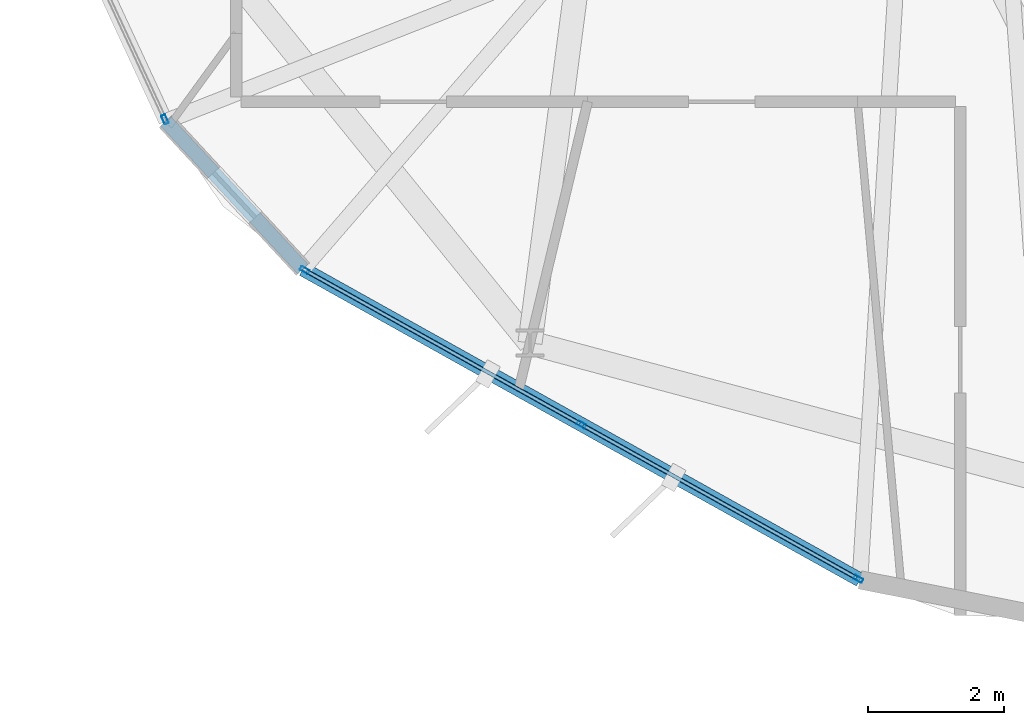
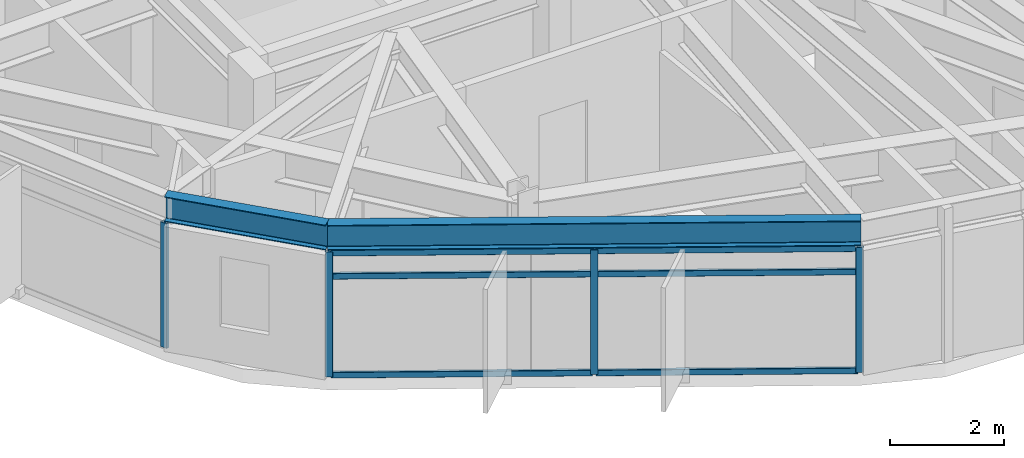
# One storey, part 2 of 25: 10 members, 2 beams, 2 elements without a shape of their own.
"""IFC4 building model written with IfcOpenShell, lengths in metres."""

from ifc_helpers import new_model, si_unit, direction, frame, origin, origin_2d, place, context, subcontext, project, spatial, hollow_rectangle, i_section, extrude, material, layer, layer_set, material_profile, profile_set, type_object, element, aggregate, save


model = new_model("IFC4")

# Units and contexts
model_context = context("Model", 3, precision=1e-05, world=origin(), true_north=direction((0.0, 1.0)))
body_context = subcontext(model_context, "Body", "Model", "MODEL_VIEW")
ifc_project = project(units=[si_unit("LENGTHUNIT", "METRE"), si_unit("AREAUNIT", "SQUARE_METRE"), si_unit("VOLUMEUNIT", "CUBIC_METRE"), si_unit("PLANEANGLEUNIT", "RADIAN"), si_unit("MASSUNIT", "GRAM", prefix="KILO")], contexts=[model_context])

# Site, building, storey
site_placement = place(None, origin())
site = spatial("IfcSite", under=ifc_project, at=site_placement, CompositionType="ELEMENT")
building_placement = place(site_placement, origin())
building = spatial("IfcBuilding", under=site, at=building_placement, Name="Soratama Intermodal Tower", CompositionType="ELEMENT")
storey_placement = place(building_placement, frame((0.0, 0.0, 190.60009765625)))
storey = spatial("IfcBuildingStorey", under=building, at=storey_placement, Name="L47", CompositionType="ELEMENT", Elevation=190.60009765625)

# Beams
ifc_material_1 = material(Name="Structural steel ASTM A992 Grade 50", Category="steel")
ifc_material_profile_1 = material_profile(ifc_material_1, i_section(OverallWidth=0.2099609375, OverallDepth=0.537109375, WebThickness=0.010986328125, FlangeThickness=0.017333984375, FilletRadius=0.012939453125, at=origin_2d()), Name="W21X68")
ifc_profile_set_1 = profile_set([ifc_material_profile_1], Name="Structural steel ASTM A992 Grade 50")
beam_type = type_object("IfcBeamType", Name="BM-SPN-W21X68", PredefinedType="SPANDREL", material=ifc_profile_set_1)
beam_1_placement = place(storey_placement, frame((29.512939453125, 12.660888671875, 3.031494140625), z_axis=(0.680021632423, -0.733192048127, 0.0), x_axis=(0.733192048127, 0.680021632423, 0.0)))
element("IfcBeam", 1, at=beam_1_placement, inside=storey, type_object=beam_type, Name="BS-L47-CRN05", PredefinedType="SPANDREL", context=body_context, shape_type="SweptSolid", body=[
    extrude(i_section(OverallWidth=0.2099609375, OverallDepth=0.537109375, WebThickness=0.010986328125, FlangeThickness=0.017333984375, FilletRadius=0.012939453125, at=origin_2d()), origin(), (0.0, 0.0, 1.0), 2.96630859375),
])
beam_2_placement = place(storey_placement, frame((31.530029296875, 10.486083984375, 3.031494140625), z_axis=(0.873275727261, -0.487226337729, 0.0), x_axis=(0.487226337729, 0.873275727261, 0.0)))
element("IfcBeam", 2, at=beam_2_placement, inside=storey, type_object=beam_type, Name="BS-L47-F06", PredefinedType="SPANDREL", context=body_context, shape_type="SweptSolid", body=[
    extrude(i_section(OverallWidth=0.2099609375, OverallDepth=0.537109375, WebThickness=0.010986328125, FlangeThickness=0.017333984375, FilletRadius=0.012939453125, at=origin_2d()), origin(), (0.0, 0.0, 1.0), 9.3818359375),
])

# Curtain wall, member
ifc_material_2 = material(Name="Double-glazed aluminium curtain wall", Category="aluminium")
ifc_layer = layer(ifc_material_2, 0.159912109375)
ifc_layer_set = layer_set([ifc_layer], Name="Double-glazed aluminium curtain wall")
curtain_wall_type = type_object("IfcCurtainWallType", Name="CW-SYS-5", PredefinedType="NOTDEFINED", material=ifc_layer_set)
curtain_wall_1_placement = place(storey_placement, origin())
curtain_wall_1 = element("IfcCurtainWall", 3, at=curtain_wall_1_placement, inside=storey, type_object=curtain_wall_type, Name="L47 Faceted Curtain Wall F05", PredefinedType="NOTDEFINED")
ifc_material_3 = material(Name="Anodised aluminium AA 6063-T6", Category="aluminium")
ifc_material_profile_2 = material_profile(ifc_material_3, hollow_rectangle(XDim=0.06494140625, YDim=0.139892578125, WallThickness=0.0048828125, InnerFilletRadius=0.0048828125, OuterFilletRadius=0.010009765625, at=origin_2d()), Name="CWM140X65X5")
ifc_profile_set_2 = profile_set([ifc_material_profile_2], Name="Anodised aluminium AA 6063-T6")
member_type_1 = type_object("IfcMemberType", Name="MT-CWM-5", PredefinedType="MULLION", material=ifc_profile_set_2)
member_1_placement = place(storey_placement, frame((29.500244140625, 12.688720703125, 0.0), z_axis=(0.0, 0.0, 1.0), x_axis=(0.907481505126, 0.42009203498, 0.0)))
member_1 = element("IfcMember", 4, at=member_1_placement, type_object=member_type_1, Name="CW-5 mullion 3", PredefinedType="MULLION", context=body_context, shape_type="SweptSolid", body=[
    extrude(hollow_rectangle(XDim=0.06494140625, YDim=0.139892578125, WallThickness=0.0048828125, InnerFilletRadius=0.0048828125, OuterFilletRadius=0.010009765625, at=origin_2d()), origin(), (0.0, 0.0, 1.0), 2.678955078125),
])
aggregate(curtain_wall_1, [member_1])

# Curtain wall, members
curtain_wall_2_placement = place(storey_placement, origin())
curtain_wall_2 = element("IfcCurtainWall", 5, at=curtain_wall_2_placement, inside=storey, type_object=curtain_wall_type, Name="L47 Faceted Curtain Wall F06", PredefinedType="NOTDEFINED")
member_2_placement = place(storey_placement, frame((31.55615234375, 10.4716796875, 0.0), z_axis=(0.0, 0.0, 1.0), x_axis=(0.487252946599, 0.873260880855, 0.0)))
member_2 = element("IfcMember", 6, at=member_2_placement, type_object=member_type_1, Name="CW-5 mullion 1", PredefinedType="MULLION", context=body_context, shape_type="SweptSolid", body=[
    extrude(hollow_rectangle(XDim=0.06494140625, YDim=0.139892578125, WallThickness=0.0048828125, InnerFilletRadius=0.0048828125, OuterFilletRadius=0.010009765625, at=origin_2d()), origin(), (0.0, 0.0, 1.0), 2.678955078125),
])
member_3_placement = place(storey_placement, frame((35.62646484375, 8.200439453125, 0.0), z_axis=(0.0, 0.0, 1.0), x_axis=(0.487252946599, 0.873260880855, 0.0)))
member_3 = element("IfcMember", 7, at=member_3_placement, type_object=member_type_1, Name="CW-5 mullion 2", PredefinedType="MULLION", context=body_context, shape_type="SweptSolid", body=[
    extrude(hollow_rectangle(XDim=0.06494140625, YDim=0.139892578125, WallThickness=0.0048828125, InnerFilletRadius=0.0048828125, OuterFilletRadius=0.010009765625, at=origin_2d()), origin(), (0.0, 0.0, 1.0), 2.678955078125),
])
member_4_placement = place(storey_placement, frame((39.69677734375, 5.92919921875, 0.0), z_axis=(0.0, 0.0, 1.0), x_axis=(0.487252946599, 0.873260880855, 0.0)))
member_4 = element("IfcMember", 8, at=member_4_placement, type_object=member_type_1, Name="CW-5 mullion 3", PredefinedType="MULLION", context=body_context, shape_type="SweptSolid", body=[
    extrude(hollow_rectangle(XDim=0.06494140625, YDim=0.139892578125, WallThickness=0.0048828125, InnerFilletRadius=0.0048828125, OuterFilletRadius=0.010009765625, at=origin_2d()), origin(), (0.0, 0.0, 1.0), 2.678955078125),
])
ifc_material_4 = material(Name="Anodised aluminium AA 6063-T6", Category="aluminium")
ifc_material_profile_3 = material_profile(ifc_material_4, hollow_rectangle(XDim=0.06005859375, YDim=0.1298828125, WallThickness=0.0048828125, InnerFilletRadius=0.0048828125, OuterFilletRadius=0.010009765625, at=origin_2d()), Name="CWT130X60X5")
ifc_profile_set_3 = profile_set([ifc_material_profile_3], Name="Anodised aluminium AA 6063-T6")
member_type_2 = type_object("IfcMemberType", Name="TT-CWT-2", PredefinedType="USERDEFINED", material=ifc_profile_set_3)
member_5_placement = place(storey_placement, frame((31.582275390625, 10.45703125, 0.02978515625), z_axis=(0.873262285383, -0.487250429376, 0.0), x_axis=(0.487250429376, 0.873262285383, 0.0)))
member_5 = element("IfcMember", 9, at=member_5_placement, type_object=member_type_2, Name="CW-5 transom 1.1", ObjectType="TRANSOM", PredefinedType="USERDEFINED", context=body_context, shape_type="SweptSolid", body=[
    extrude(hollow_rectangle(XDim=0.06005859375, YDim=0.1298828125, WallThickness=0.0048828125, InnerFilletRadius=0.0048828125, OuterFilletRadius=0.010009765625, at=origin_2d()), origin(), (0.0, 0.0, 1.0), 4.601318359375),
])
member_6_placement = place(storey_placement, frame((31.582275390625, 10.45703125, 2.14990234375), z_axis=(0.873262285383, -0.487250429376, 0.0), x_axis=(0.487250429376, 0.873262285383, 0.0)))
member_6 = element("IfcMember", 10, at=member_6_placement, type_object=member_type_2, Name="CW-5 transom 1.2", ObjectType="TRANSOM", PredefinedType="USERDEFINED", context=body_context, shape_type="SweptSolid", body=[
    extrude(hollow_rectangle(XDim=0.06005859375, YDim=0.1298828125, WallThickness=0.0048828125, InnerFilletRadius=0.0048828125, OuterFilletRadius=0.010009765625, at=origin_2d()), origin(), (0.0, 0.0, 1.0), 4.601318359375),
])
member_7_placement = place(storey_placement, frame((31.582275390625, 10.45703125, 2.64892578125), z_axis=(0.873262285383, -0.487250429376, 0.0), x_axis=(0.487250429376, 0.873262285383, 0.0)))
member_7 = element("IfcMember", 11, at=member_7_placement, type_object=member_type_2, Name="CW-5 transom 1.3", ObjectType="TRANSOM", PredefinedType="USERDEFINED", context=body_context, shape_type="SweptSolid", body=[
    extrude(hollow_rectangle(XDim=0.06005859375, YDim=0.1298828125, WallThickness=0.0048828125, InnerFilletRadius=0.0048828125, OuterFilletRadius=0.010009765625, at=origin_2d()), origin(), (0.0, 0.0, 1.0), 4.601318359375),
])
member_8_placement = place(storey_placement, frame((35.652587890625, 8.185791015625, 0.02978515625), z_axis=(0.873262285383, -0.487250429376, 0.0), x_axis=(0.487250429376, 0.873262285383, 0.0)))
member_8 = element("IfcMember", 12, at=member_8_placement, type_object=member_type_2, Name="CW-5 transom 2.1", ObjectType="TRANSOM", PredefinedType="USERDEFINED", context=body_context, shape_type="SweptSolid", body=[
    extrude(hollow_rectangle(XDim=0.06005859375, YDim=0.1298828125, WallThickness=0.0048828125, InnerFilletRadius=0.0048828125, OuterFilletRadius=0.010009765625, at=origin_2d()), origin(), (0.0, 0.0, 1.0), 4.601318359375),
])
member_9_placement = place(storey_placement, frame((35.652587890625, 8.185791015625, 2.14990234375), z_axis=(0.873262285383, -0.487250429376, 0.0), x_axis=(0.487250429376, 0.873262285383, 0.0)))
member_9 = element("IfcMember", 13, at=member_9_placement, type_object=member_type_2, Name="CW-5 transom 2.2", ObjectType="TRANSOM", PredefinedType="USERDEFINED", context=body_context, shape_type="SweptSolid", body=[
    extrude(hollow_rectangle(XDim=0.06005859375, YDim=0.1298828125, WallThickness=0.0048828125, InnerFilletRadius=0.0048828125, OuterFilletRadius=0.010009765625, at=origin_2d()), origin(), (0.0, 0.0, 1.0), 4.601318359375),
])
member_10_placement = place(storey_placement, frame((35.652587890625, 8.185791015625, 2.64892578125), z_axis=(0.873262285383, -0.487250429376, 0.0), x_axis=(0.487250429376, 0.873262285383, 0.0)))
member_10 = element("IfcMember", 14, at=member_10_placement, type_object=member_type_2, Name="CW-5 transom 2.3", ObjectType="TRANSOM", PredefinedType="USERDEFINED", context=body_context, shape_type="SweptSolid", body=[
    extrude(hollow_rectangle(XDim=0.06005859375, YDim=0.1298828125, WallThickness=0.0048828125, InnerFilletRadius=0.0048828125, OuterFilletRadius=0.010009765625, at=origin_2d()), origin(), (0.0, 0.0, 1.0), 4.601318359375),
])
aggregate(curtain_wall_2, [member_2, member_3, member_4, member_5, member_6, member_7, member_8, member_9, member_10])

save(model, "model.ifc")
